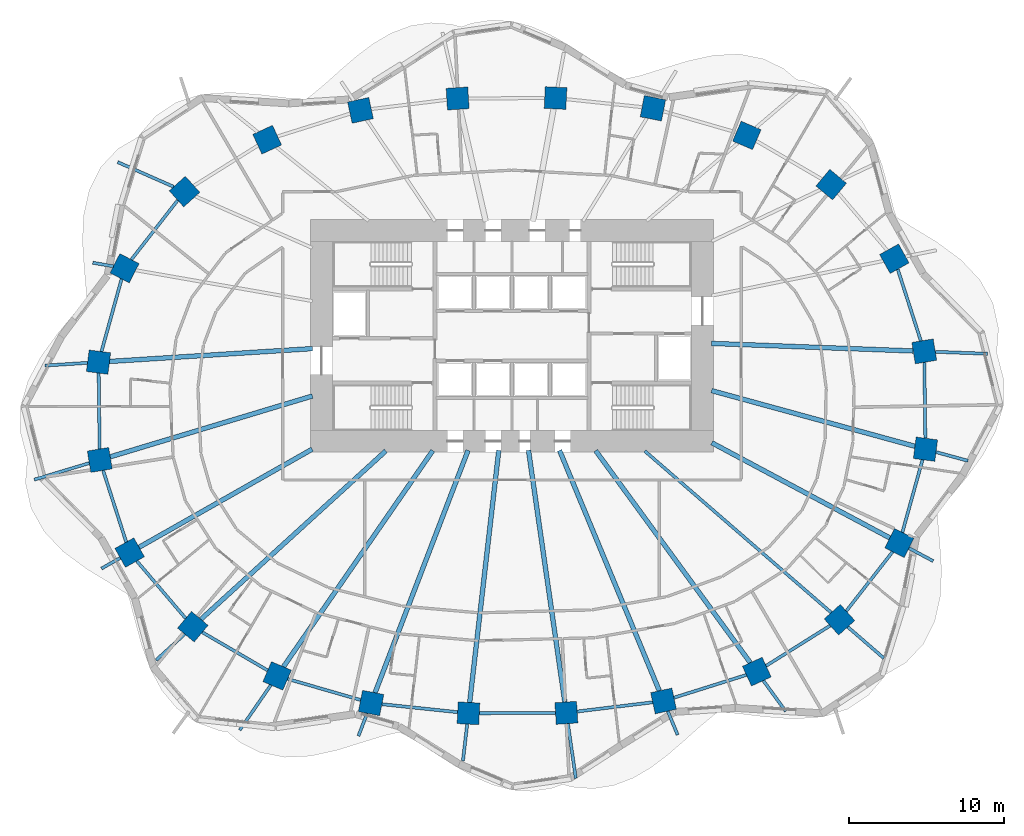
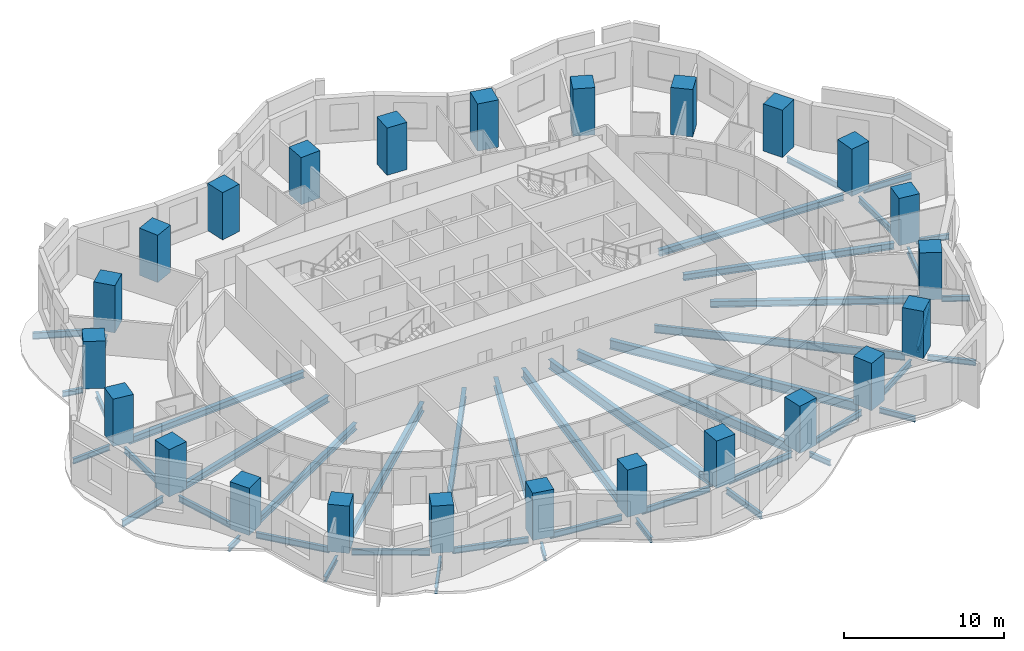
# One storey, part 1 of 11: 46 beams, 24 columns.
"""IFC4 building model written with IfcOpenShell, lengths in metres."""

from ifc_helpers import new_model, si_unit, direction, frame, origin, origin_2d, place, context, subcontext, project, spatial, rectangle, i_section, extrude, material, material_profile, profile_set, type_object, element, save


model = new_model("IFC4")

# Units and contexts
model_context = context("Model", 3, precision=1e-05, world=origin(), true_north=direction((0.0, 1.0)))
body_context = subcontext(model_context, "Body", "Model", "MODEL_VIEW")
ifc_project = project(units=[si_unit("LENGTHUNIT", "METRE"), si_unit("AREAUNIT", "SQUARE_METRE"), si_unit("VOLUMEUNIT", "CUBIC_METRE"), si_unit("PLANEANGLEUNIT", "RADIAN"), si_unit("MASSUNIT", "GRAM", prefix="KILO")], contexts=[model_context])

# Site, building, storey
site_placement = place(None, origin())
site = spatial("IfcSite", under=ifc_project, at=site_placement, CompositionType="ELEMENT")
building_placement = place(site_placement, origin())
building = spatial("IfcBuilding", under=site, at=building_placement, Name="Rubra Terraces Tower", CompositionType="ELEMENT")
storey_placement = place(building_placement, frame((0.0, 0.0, 41.10009765625)))
storey = spatial("IfcBuildingStorey", under=building, at=storey_placement, Name="L07", CompositionType="ELEMENT", Elevation=41.10009765625)

# Columns
ifc_material_1 = material(Name="Concrete C60", Category="concrete")
ifc_material_profile_1 = material_profile(ifc_material_1, rectangle(XDim=1.39990234375, YDim=1.39990234375, at=origin_2d()), Name="RC 1400x1400")
ifc_profile_set_1 = profile_set([ifc_material_profile_1], Name="Concrete C60")
column_type = type_object("IfcColumnType", Name="RING COLUMN RC 1400x1400 C60", PredefinedType="COLUMN", material=ifc_profile_set_1)
for number, where, z_axis, x_axis, name in (
    (1, (26.60498046875, 3.5029296875, 0.0), (0.0, 0.0, 1.0), (-0.161234051287, 0.986916197408, 0.0), "column-L07-ring-01"),
    (2, (24.676025390625, 9.48291015625, 0.0), (0.0, 0.0, 1.0), (-0.487226597714, 0.873275582208, 0.0), "column-L07-ring-02"),
    (3, (20.60009765625, 14.26611328125, 0.0), (0.0, 0.0, 1.0), (-0.767209547574, 0.641396531104, 0.0), "column-L07-ring-03"),
    (4, (15.156982421875, 17.44091796875, 0.0), (0.0, 0.0, 1.0), (-0.919293738002, 0.393572132232, 0.0), "column-L07-ring-04"),
    (5, (9.093994140625, 19.19189453125, 0.0), (0.0, 0.0, 1.0), (-0.981430410798, 0.191818530806, 0.0), "column-L07-ring-05"),
    (6, (2.81103515625, 19.85400390625, 0.0), (0.0, 0.0, 1.0), (-0.99874501614, 0.050083857035, 0.0), "column-L07-ring-06"),
    (7, (-3.509033203125, 19.823974609375, 0.0), (0.0, 0.0, 1.0), (-0.9980076013, -0.063093801177, 0.0), "column-L07-ring-07"),
    (8, (-9.780029296875, 19.05810546875, 0.0), (0.0, 0.0, 1.0), (-0.977386186482, -0.211462153764, 0.0), "column-L07-ring-08"),
    (9, (-15.799072265625, 17.1650390625, 0.0), (0.0, 0.0, 1.0), (-0.907952363445, -0.419073389413, 0.0), "column-L07-ring-09"),
    (10, (-21.135009765625, 13.81689453125, 0.0), (0.0, 0.0, 1.0), (-0.742675944539, -0.66965098477, 0.0), "column-L07-ring-10"),
    (11, (-25.0029296875, 8.865966796875, 0.0), (0.0, 0.0, 1.0), (-0.450098906028, -0.892978709036, 0.0), "column-L07-ring-11"),
    (12, (-26.68408203125, 2.80810546875, 0.0), (0.0, 0.0, 1.0), (-0.128444510405, -0.991716697322, 0.0), "column-L07-ring-12"),
    (13, (-26.60498046875, -3.5029296875, 0.0), (0.0, 0.0, 1.0), (0.161234051287, -0.986916197408, 0.0), "column-L07-ring-13"),
    (14, (-24.676025390625, -9.48291015625, 0.0), (0.0, 0.0, 1.0), (0.487226597714, -0.873275582208, 0.0), "column-L07-ring-14"),
    (15, (-20.60009765625, -14.26611328125, 0.0), (0.0, 0.0, 1.0), (0.767209547574, -0.641396531104, 0.0), "column-L07-ring-15"),
    (16, (-15.156982421875, -17.44091796875, 0.0), (0.0, 0.0, 1.0), (0.919293738002, -0.393572132232, 0.0), "column-L07-ring-16"),
    (17, (-9.093994140625, -19.19189453125, 0.0), (0.0, 0.0, 1.0), (0.981430410798, -0.191818530806, 0.0), "column-L07-ring-17"),
    (18, (-2.81103515625, -19.85400390625, 0.0), (0.0, 0.0, 1.0), (0.99874501614, -0.050083857035, 0.0), "column-L07-ring-18"),
    (19, (3.509033203125, -19.823974609375, 0.0), (0.0, 0.0, 1.0), (0.9980076013, 0.063093801177, 0.0), "column-L07-ring-19"),
    (20, (9.780029296875, -19.05810546875, 0.0), (0.0, 0.0, 1.0), (0.977386186482, 0.211462153764, 0.0), "column-L07-ring-20"),
    (21, (15.799072265625, -17.1650390625, 0.0), (0.0, 0.0, 1.0), (0.907952363445, 0.419073389413, 0.0), "column-L07-ring-21"),
    (22, (21.135009765625, -13.81689453125, 0.0), (0.0, 0.0, 1.0), (0.742675944539, 0.66965098477, 0.0), "column-L07-ring-22"),
    (23, (25.0029296875, -8.865966796875, 0.0), (0.0, 0.0, 1.0), (0.450098906028, 0.892978709036, 0.0), "column-L07-ring-23"),
    (24, (26.68408203125, -2.80810546875, 0.0), (0.0, 0.0, 1.0), (0.128444510405, 0.991716697322, 0.0), "column-L07-ring-24"),
):
    element("IfcColumn", number, at=place(storey_placement, frame(where, z_axis=z_axis, x_axis=x_axis)), inside=storey, type_object=column_type, Name=name, PredefinedType="COLUMN", context=body_context, shape_type="SweptSolid", body=[
        extrude(rectangle(XDim=1.39990234375, YDim=1.39990234375, at=origin_2d()), origin(), (0.0, 0.0, 1.0), 3.599853515625),
    ])

# Beams
ifc_material_2 = material(Name="Steel Q355B", Category="steel")
ifc_material_profile_2 = material_profile(ifc_material_2, i_section(OverallWidth=0.199951171875, OverallDepth=0.39990234375, WebThickness=0.008056640625, FlangeThickness=0.012939453125, at=origin_2d()), Name="HN 400x200x8x13")
ifc_profile_set_2 = profile_set([ifc_material_profile_2], Name="Steel Q355B")
beam_type_1 = type_object("IfcBeamType", Name="CANTILEVER BEAM HN 400x200x8x13", PredefinedType="BEAM", material=ifc_profile_set_2)
beam_1_placement = place(storey_placement, frame((-27.39599609375, 2.762939453125, -0.400146484375), z_axis=(-0.997990809901, -0.063358845889, 0.0), x_axis=(0.063358845889, -0.997990809901, 0.0)))
element("IfcBeam", 25, at=beam_1_placement, inside=storey, type_object=beam_type_1, Name="beam-L07-cant-12", PredefinedType="BEAM", context=body_context, shape_type="SweptSolid", body=[
    extrude(i_section(OverallWidth=0.199951171875, OverallDepth=0.39990234375, WebThickness=0.008056640625, FlangeThickness=0.012939453125, at=origin_2d()), origin(), (0.0, 0.0, 1.0), 2.74365234375),
])
beam_2_placement = place(storey_placement, frame((-21.1220703125, -14.741943359375, -0.400146484375), z_axis=(-0.739355427432, -0.6733153436, 0.0), x_axis=(0.6733153436, -0.739355427432, 0.0)))
element("IfcBeam", 26, at=beam_2_placement, inside=storey, type_object=beam_type_1, Name="beam-L07-cant-15", PredefinedType="BEAM", context=body_context, shape_type="SweptSolid", body=[
    extrude(i_section(OverallWidth=0.199951171875, OverallDepth=0.39990234375, WebThickness=0.008056640625, FlangeThickness=0.012939453125, at=origin_2d()), origin(), (0.0, 0.0, 1.0), 2.495361328125),
])
beam_3_placement = place(storey_placement, frame((-9.34912109375, -19.85498046875, -0.400146484375), z_axis=(-0.357892993059, -0.933762606619, 0.0), x_axis=(0.933762606619, -0.357892993059, 0.0)))
element("IfcBeam", 27, at=beam_3_placement, inside=storey, type_object=beam_type_1, Name="beam-L07-cant-17", PredefinedType="BEAM", context=body_context, shape_type="SweptSolid", body=[
    extrude(i_section(OverallWidth=0.199951171875, OverallDepth=0.39990234375, WebThickness=0.008056640625, FlangeThickness=0.012939453125, at=origin_2d()), origin(), (0.0, 0.0, 1.0), 1.56689453125),
])
beam_4_placement = place(storey_placement, frame((-2.89111328125, -20.551025390625, -0.400146484375), z_axis=(-0.114962450561, -0.993369837956, 0.0), x_axis=(0.993369837956, -0.114962450561, 0.0)))
element("IfcBeam", 28, at=beam_4_placement, inside=storey, type_object=beam_type_1, Name="beam-L07-cant-18", PredefinedType="BEAM", context=body_context, shape_type="SweptSolid", body=[
    extrude(i_section(OverallWidth=0.199951171875, OverallDepth=0.39990234375, WebThickness=0.008056640625, FlangeThickness=0.012939453125, at=origin_2d()), origin(), (0.0, 0.0, 1.0), 2.3828125),
])
beam_5_placement = place(storey_placement, frame((10.052978515625, -19.715087890625, -0.400146484375), z_axis=(0.383503635295, -0.92353936663, 0.0), x_axis=(0.92353936663, 0.383503635295, 0.0)))
element("IfcBeam", 29, at=beam_5_placement, inside=storey, type_object=beam_type_1, Name="beam-L07-cant-20", PredefinedType="BEAM", context=body_context, shape_type="SweptSolid", body=[
    extrude(i_section(OverallWidth=0.199951171875, OverallDepth=0.39990234375, WebThickness=0.008056640625, FlangeThickness=0.012939453125, at=origin_2d()), origin(), (0.0, 0.0, 1.0), 1.6533203125),
])
beam_6_placement = place(storey_placement, frame((16.219970703125, -17.741943359375, -0.400146484375), z_axis=(0.589051841902, -0.808095246584, 0.0), x_axis=(0.808095246584, 0.589051841902, 0.0)))
element("IfcBeam", 30, at=beam_6_placement, inside=storey, type_object=beam_type_1, Name="beam-L07-cant-21", PredefinedType="BEAM", context=body_context, shape_type="SweptSolid", body=[
    extrude(i_section(OverallWidth=0.199951171875, OverallDepth=0.39990234375, WebThickness=0.008056640625, FlangeThickness=0.012939453125, at=origin_2d()), origin(), (0.0, 0.0, 1.0), 2.45654296875),
])
beam_7_placement = place(storey_placement, frame((21.66796875, -14.279052734375, -0.400146484375), z_axis=(0.755678614106, -0.654942617474, 0.0), x_axis=(0.654942617474, 0.755678614106, 0.0)))
element("IfcBeam", 31, at=beam_7_placement, inside=storey, type_object=beam_type_1, Name="beam-L07-cant-22", PredefinedType="BEAM", context=body_context, shape_type="SweptSolid", body=[
    extrude(i_section(OverallWidth=0.199951171875, OverallDepth=0.39990234375, WebThickness=0.008056640625, FlangeThickness=0.012939453125, at=origin_2d()), origin(), (0.0, 0.0, 1.0), 3.077880859375),
])
beam_8_placement = place(storey_placement, frame((25.62109375, -9.196044921875, -0.400146484375), z_axis=(0.881831478538, -0.471564675797, 0.0), x_axis=(0.471564675797, 0.881831478538, 0.0)))
element("IfcBeam", 32, at=beam_8_placement, inside=storey, type_object=beam_type_1, Name="beam-L07-cant-23", PredefinedType="BEAM", context=body_context, shape_type="SweptSolid", body=[
    extrude(i_section(OverallWidth=0.199951171875, OverallDepth=0.39990234375, WebThickness=0.008056640625, FlangeThickness=0.012939453125, at=origin_2d()), origin(), (0.0, 0.0, 1.0), 1.764404296875),
])
beam_9_placement = place(storey_placement, frame((27.365966796875, -2.9951171875, -0.400146484375), z_axis=(0.964489360559, -0.264121701814, 0.0), x_axis=(0.264121701814, 0.964489360559, 0.0)))
element("IfcBeam", 33, at=beam_9_placement, inside=storey, type_object=beam_type_1, Name="beam-L07-cant-24", PredefinedType="BEAM", context=body_context, shape_type="SweptSolid", body=[
    extrude(i_section(OverallWidth=0.199951171875, OverallDepth=0.39990234375, WebThickness=0.008056640625, FlangeThickness=0.012939453125, at=origin_2d()), origin(), (0.0, 0.0, 1.0), 2.138916015625),
])
ifc_material_profile_3 = material_profile(ifc_material_2, i_section(OverallWidth=0.198974609375, OverallDepth=0.446044921875, WebThickness=0.008056640625, FlangeThickness=0.011962890625, at=origin_2d()), Name="HN 446x199x8x12")
ifc_profile_set_3 = profile_set([ifc_material_profile_3], Name="Steel Q355B")
beam_type_2 = type_object("IfcBeamType", Name="CANTILEVER BEAM HN 446x199x8x12", PredefinedType="BEAM", material=ifc_profile_set_3)
beam_10_placement = place(storey_placement, frame((27.319091796875, 3.47607421875, -0.423095703125), z_axis=(0.999304901347, -0.037278869946, 0.0), x_axis=(0.037278869946, 0.999304901347, 0.0)))
element("IfcBeam", 34, at=beam_10_placement, inside=storey, type_object=beam_type_2, Name="beam-L07-cant-01", PredefinedType="BEAM", context=body_context, shape_type="SweptSolid", body=[
    extrude(i_section(OverallWidth=0.198974609375, OverallDepth=0.446044921875, WebThickness=0.008056640625, FlangeThickness=0.011962890625, at=origin_2d()), origin(), (0.0, 0.0, 1.0), 3.37939453125),
])
beam_11_placement = place(storey_placement, frame((-15.56298828125, -18.029052734375, -0.423095703125), z_axis=(-0.568398748682, -0.822753220897, 0.0), x_axis=(0.822753220897, -0.568398748682, 0.0)))
element("IfcBeam", 35, at=beam_11_placement, inside=storey, type_object=beam_type_2, Name="beam-L07-cant-16", PredefinedType="BEAM", context=body_context, shape_type="SweptSolid", body=[
    extrude(i_section(OverallWidth=0.198974609375, OverallDepth=0.446044921875, WebThickness=0.008056640625, FlangeThickness=0.011962890625, at=origin_2d()), origin(), (0.0, 0.0, 1.0), 3.5380859375),
])
beam_12_placement = place(storey_placement, frame((3.60888671875, -20.51904296875, -0.423095703125), z_axis=(0.142763269487, -0.98975686352, 0.0), x_axis=(0.98975686352, 0.142763269487, 0.0)))
element("IfcBeam", 36, at=beam_12_placement, inside=storey, type_object=beam_type_2, Name="beam-L07-cant-19", PredefinedType="BEAM", context=body_context, shape_type="SweptSolid", body=[
    extrude(i_section(OverallWidth=0.198974609375, OverallDepth=0.446044921875, WebThickness=0.008056640625, FlangeThickness=0.011962890625, at=origin_2d()), origin(), (0.0, 0.0, 1.0), 3.565673828125),
])
ifc_material_profile_4 = material_profile(ifc_material_2, i_section(OverallWidth=0.198974609375, OverallDepth=0.49609375, WebThickness=0.009033203125, FlangeThickness=0.013916015625, at=origin_2d()), Name="HN 496x199x9x14")
ifc_profile_set_4 = profile_set([ifc_material_profile_4], Name="Steel Q355B")
beam_type_3 = type_object("IfcBeamType", Name="CANTILEVER BEAM HN 496x199x9x14", PredefinedType="BEAM", material=ifc_profile_set_4)
beam_13_placement = place(storey_placement, frame((-21.8369140625, 14.1259765625, -0.447998046875), z_axis=(-0.914957406793, 0.403550422816, 0.0), x_axis=(-0.403550422816, -0.914957406793, 0.0)))
element("IfcBeam", 37, at=beam_13_placement, inside=storey, type_object=beam_type_3, Name="beam-L07-cant-10", PredefinedType="BEAM", context=body_context, shape_type="SweptSolid", body=[
    extrude(i_section(OverallWidth=0.198974609375, OverallDepth=0.49609375, WebThickness=0.009033203125, FlangeThickness=0.013916015625, at=origin_2d()), origin(), (0.0, 0.0, 1.0), 3.949951171875),
])
beam_14_placement = place(storey_placement, frame((-27.281005859375, -3.7060546875, -0.447998046875), z_axis=(-0.957593698742, -0.28812203687, 0.0), x_axis=(0.28812203687, -0.957593698742, 0.0)))
element("IfcBeam", 38, at=beam_14_placement, inside=storey, type_object=beam_type_3, Name="beam-L07-cant-13", PredefinedType="BEAM", context=body_context, shape_type="SweptSolid", body=[
    extrude(i_section(OverallWidth=0.198974609375, OverallDepth=0.49609375, WebThickness=0.009033203125, FlangeThickness=0.013916015625, at=origin_2d()), origin(), (0.0, 0.0, 1.0), 3.702880859375),
])
ifc_material_profile_5 = material_profile(ifc_material_2, i_section(OverallWidth=0.199951171875, OverallDepth=0.39990234375, WebThickness=0.008056640625, FlangeThickness=0.012939453125, at=origin_2d()), Name="HN 400x200x8x13")
ifc_profile_set_5 = profile_set([ifc_material_profile_5], Name="Steel Q355B")
beam_type_4 = type_object("IfcBeamType", Name="CANTILEVER STUB HN 400x200x8x13", PredefinedType="BEAM", material=ifc_profile_set_5)
beam_15_placement = place(storey_placement, frame((-25.722900390625, 8.991943359375, -0.400146484375), z_axis=(-0.985082654441, 0.172081852383, 0.0), x_axis=(-0.172081852383, -0.985082654441, 0.0)))
element("IfcBeam", 39, at=beam_15_placement, inside=storey, type_object=beam_type_4, Name="beam-L07-cant-11", PredefinedType="BEAM", context=body_context, shape_type="SweptSolid", body=[
    extrude(i_section(OverallWidth=0.199951171875, OverallDepth=0.39990234375, WebThickness=0.008056640625, FlangeThickness=0.012939453125, at=origin_2d()), origin(), (0.0, 0.0, 1.0), 1.34912109375),
])
beam_16_placement = place(storey_placement, frame((-25.284912109375, -9.827880859375, -0.400146484375), z_axis=(-0.869861272392, -0.493296428927, 0.0), x_axis=(0.493296428927, -0.869861272392, 0.0)))
element("IfcBeam", 40, at=beam_16_placement, inside=storey, type_object=beam_type_4, Name="beam-L07-cant-14", PredefinedType="BEAM", context=body_context, shape_type="SweptSolid", body=[
    extrude(i_section(OverallWidth=0.199951171875, OverallDepth=0.39990234375, WebThickness=0.008056640625, FlangeThickness=0.012939453125, at=origin_2d()), origin(), (0.0, 0.0, 1.0), 1.388671875),
])
ifc_material_profile_6 = material_profile(ifc_material_2, i_section(OverallWidth=0.300048828125, OverallDepth=0.48193359375, WebThickness=0.010986328125, FlangeThickness=0.014892578125, at=origin_2d()), Name="HM 482x300x11x15")
ifc_profile_set_6 = profile_set([ifc_material_profile_6], Name="Steel Q355B")
beam_type_5 = type_object("IfcBeamType", Name="FLOOR BEAM HM 482x300x11x15", PredefinedType="BEAM", material=ifc_profile_set_6)
beam_17_placement = place(storey_placement, frame((25.89111328125, 3.530029296875, -0.441162109375), z_axis=(-0.999300088658, 0.037407657088, 0.0), x_axis=(-0.037407657088, -0.999300088658, 0.0)))
element("IfcBeam", 41, at=beam_17_placement, inside=storey, type_object=beam_type_5, Name="beam-L07-floor-01", PredefinedType="BEAM", context=body_context, shape_type="SweptSolid", body=[
    extrude(i_section(OverallWidth=0.300048828125, OverallDepth=0.48193359375, WebThickness=0.010986328125, FlangeThickness=0.014892578125, at=origin_2d()), origin(), (0.0, 0.0, 1.0), 13.020263671875),
])
beam_18_placement = place(storey_placement, frame((-25.971923828125, 2.85302734375, -0.441162109375), z_axis=(0.997996052936, 0.06327620662, 0.0), x_axis=(-0.06327620662, 0.997996052936, 0.0)))
element("IfcBeam", 42, at=beam_18_placement, inside=storey, type_object=beam_type_5, Name="beam-L07-floor-12", PredefinedType="BEAM", context=body_context, shape_type="SweptSolid", body=[
    extrude(i_section(OverallWidth=0.300048828125, OverallDepth=0.48193359375, WebThickness=0.010986328125, FlangeThickness=0.014892578125, at=origin_2d()), origin(), (0.0, 0.0, 1.0), 13.118408203125),
])
beam_19_placement = place(storey_placement, frame((-25.928955078125, -3.300048828125, -0.441162109375), z_axis=(0.957605991861, 0.288081176671, 0.0), x_axis=(-0.288081176671, 0.957605991861, 0.0)))
element("IfcBeam", 43, at=beam_19_placement, inside=storey, type_object=beam_type_5, Name="beam-L07-floor-13", PredefinedType="BEAM", context=body_context, shape_type="SweptSolid", body=[
    extrude(i_section(OverallWidth=0.300048828125, OverallDepth=0.48193359375, WebThickness=0.010986328125, FlangeThickness=0.014892578125, at=origin_2d()), origin(), (0.0, 0.0, 1.0), 13.621337890625),
])
beam_20_placement = place(storey_placement, frame((-24.06689453125, -9.137939453125, -0.441162109375), z_axis=(0.869992824144, 0.493064383157, 0.0), x_axis=(-0.493064383157, 0.869992824144, 0.0)))
element("IfcBeam", 44, at=beam_20_placement, inside=storey, type_object=beam_type_5, Name="beam-L07-floor-14", PredefinedType="BEAM", context=body_context, shape_type="SweptSolid", body=[
    extrude(i_section(OverallWidth=0.300048828125, OverallDepth=0.48193359375, WebThickness=0.010986328125, FlangeThickness=0.014892578125, at=origin_2d()), origin(), (0.0, 0.0, 1.0), 12.84033203125),
])
beam_21_placement = place(storey_placement, frame((24.385009765625, -8.535888671875, -0.441162109375), z_axis=(-0.881896613876, 0.471442851716, 0.0), x_axis=(-0.471442851716, -0.881896613876, 0.0)))
element("IfcBeam", 45, at=beam_21_placement, inside=storey, type_object=beam_type_5, Name="beam-L07-floor-23", PredefinedType="BEAM", context=body_context, shape_type="SweptSolid", body=[
    extrude(i_section(OverallWidth=0.300048828125, OverallDepth=0.48193359375, WebThickness=0.010986328125, FlangeThickness=0.014892578125, at=origin_2d()), origin(), (0.0, 0.0, 1.0), 13.02978515625),
])
beam_22_placement = place(storey_placement, frame((26.001953125, -2.62109375, -0.441162109375), z_axis=(-0.964494059772, 0.264104541167, 0.0), x_axis=(-0.264104541167, -0.964494059772, 0.0)))
element("IfcBeam", 46, at=beam_22_placement, inside=storey, type_object=beam_type_5, Name="beam-L07-floor-24", PredefinedType="BEAM", context=body_context, shape_type="SweptSolid", body=[
    extrude(i_section(OverallWidth=0.300048828125, OverallDepth=0.48193359375, WebThickness=0.010986328125, FlangeThickness=0.014892578125, at=origin_2d()), origin(), (0.0, 0.0, 1.0), 13.600830078125),
])
ifc_material_profile_7 = material_profile(ifc_material_2, i_section(OverallWidth=0.198974609375, OverallDepth=0.595947265625, WebThickness=0.010009765625, FlangeThickness=0.014892578125, at=origin_2d()), Name="HN 596x199x10x15")
ifc_profile_set_7 = profile_set([ifc_material_profile_7], Name="Steel Q355B")
beam_type_6 = type_object("IfcBeamType", Name="FLOOR BEAM HN 596x199x10x15", PredefinedType="BEAM", material=ifc_profile_set_7)
beam_23_placement = place(storey_placement, frame((20.60205078125, -13.35498046875, -0.498046875), z_axis=(-0.755682003913, 0.654938706263, 0.0), x_axis=(-0.654938706263, -0.755682003913, 0.0)))
element("IfcBeam", 47, at=beam_23_placement, inside=storey, type_object=beam_type_6, Name="beam-L07-floor-22", PredefinedType="BEAM", context=body_context, shape_type="SweptSolid", body=[
    extrude(i_section(OverallWidth=0.198974609375, OverallDepth=0.595947265625, WebThickness=0.010009765625, FlangeThickness=0.014892578125, at=origin_2d()), origin(), (0.0, 0.0, 1.0), 15.931396484375),
])
ifc_material_profile_8 = material_profile(ifc_material_2, i_section(OverallWidth=0.300048828125, OverallDepth=0.699951171875, WebThickness=0.012939453125, FlangeThickness=0.02392578125, at=origin_2d()), Name="HN 700x300x13x24")
ifc_profile_set_8 = profile_set([ifc_material_profile_8], Name="Steel Q355B")
beam_type_7 = type_object("IfcBeamType", Name="FLOOR BEAM HN 700x300x13x24", PredefinedType="BEAM", material=ifc_profile_set_8)
beam_24_placement = place(storey_placement, frame((-20.077880859375, -13.7900390625, -0.550048828125), z_axis=(0.739256734846, 0.673423700195, 0.0), x_axis=(-0.673423700195, 0.739256734846, 0.0)))
element("IfcBeam", 48, at=beam_24_placement, inside=storey, type_object=beam_type_7, Name="beam-L07-floor-15", PredefinedType="BEAM", context=body_context, shape_type="SweptSolid", body=[
    extrude(i_section(OverallWidth=0.300048828125, OverallDepth=0.699951171875, WebThickness=0.012939453125, FlangeThickness=0.02392578125, at=origin_2d()), origin(), (0.0, 0.0, 1.0), 16.14306640625),
])
beam_25_placement = place(storey_placement, frame((-14.7509765625, -16.85302734375, -0.550048828125), z_axis=(0.568362941886, 0.822777956858, 0.0), x_axis=(-0.822777956858, 0.568362941886, 0.0)))
element("IfcBeam", 49, at=beam_25_placement, inside=storey, type_object=beam_type_7, Name="beam-L07-floor-16", PredefinedType="BEAM", context=body_context, shape_type="SweptSolid", body=[
    extrude(i_section(OverallWidth=0.300048828125, OverallDepth=0.699951171875, WebThickness=0.012939453125, FlangeThickness=0.02392578125, at=origin_2d()), origin(), (0.0, 0.0, 1.0), 16.957275390625),
])
beam_26_placement = place(storey_placement, frame((-8.839111328125, -18.529052734375, -0.550048828125), z_axis=(0.358321803184, 0.933598139117, 0.0), x_axis=(-0.933598139117, 0.358321803184, 0.0)))
element("IfcBeam", 50, at=beam_26_placement, inside=storey, type_object=beam_type_7, Name="beam-L07-floor-17", PredefinedType="BEAM", context=body_context, shape_type="SweptSolid", body=[
    extrude(i_section(OverallWidth=0.300048828125, OverallDepth=0.699951171875, WebThickness=0.012939453125, FlangeThickness=0.02392578125, at=origin_2d()), origin(), (0.0, 0.0, 1.0), 16.753662109375),
])
beam_27_placement = place(storey_placement, frame((-2.73095703125, -19.156982421875, -0.550048828125), z_axis=(0.114679535872, 0.993402538779, 0.0), x_axis=(-0.993402538779, 0.114679535872, 0.0)))
element("IfcBeam", 51, at=beam_27_placement, inside=storey, type_object=beam_type_7, Name="beam-L07-floor-18", PredefinedType="BEAM", context=body_context, shape_type="SweptSolid", body=[
    extrude(i_section(OverallWidth=0.300048828125, OverallDepth=0.699951171875, WebThickness=0.012939453125, FlangeThickness=0.02392578125, at=origin_2d()), origin(), (0.0, 0.0, 1.0), 16.384033203125),
])
beam_28_placement = place(storey_placement, frame((3.408935546875, -19.12890625, -0.550048828125), z_axis=(-0.142787075711, 0.9897534294, 0.0), x_axis=(-0.9897534294, -0.142787075711, 0.0)))
element("IfcBeam", 52, at=beam_28_placement, inside=storey, type_object=beam_type_7, Name="beam-L07-floor-19", PredefinedType="BEAM", context=body_context, shape_type="SweptSolid", body=[
    extrude(i_section(OverallWidth=0.300048828125, OverallDepth=0.699951171875, WebThickness=0.012939453125, FlangeThickness=0.02392578125, at=origin_2d()), origin(), (0.0, 0.0, 1.0), 16.416015625),
])
beam_29_placement = place(storey_placement, frame((9.507080078125, -18.40087890625, -0.550048828125), z_axis=(-0.383379543301, 0.923590886582, 0.0), x_axis=(-0.923590886582, -0.383379543301, 0.0)))
element("IfcBeam", 53, at=beam_29_placement, inside=storey, type_object=beam_type_7, Name="beam-L07-floor-20", PredefinedType="BEAM", context=body_context, shape_type="SweptSolid", body=[
    extrude(i_section(OverallWidth=0.300048828125, OverallDepth=0.699951171875, WebThickness=0.012939453125, FlangeThickness=0.02392578125, at=origin_2d()), origin(), (0.0, 0.0, 1.0), 16.795166015625),
])
beam_30_placement = place(storey_placement, frame((15.3779296875, -16.587890625, -0.550048828125), z_axis=(-0.58919117553, 0.807993662523, 0.0), x_axis=(-0.807993662523, -0.58919117553, 0.0)))
element("IfcBeam", 54, at=beam_30_placement, inside=storey, type_object=beam_type_7, Name="beam-L07-floor-21", PredefinedType="BEAM", context=body_context, shape_type="SweptSolid", body=[
    extrude(i_section(OverallWidth=0.300048828125, OverallDepth=0.699951171875, WebThickness=0.012939453125, FlangeThickness=0.02392578125, at=origin_2d()), origin(), (0.0, 0.0, 1.0), 16.936767578125),
])
ifc_material_profile_9 = material_profile(ifc_material_2, i_section(OverallWidth=0.198974609375, OverallDepth=0.446044921875, WebThickness=0.008056640625, FlangeThickness=0.011962890625, at=origin_2d()), Name="HN 446x199x8x12")
ifc_profile_set_9 = profile_set([ifc_material_profile_9], Name="Steel Q355B")
beam_type_8 = type_object("IfcBeamType", Name="SPANDREL BEAM HN 446x199x8x12", PredefinedType="SPANDREL", material=ifc_profile_set_9)
beam_31_placement = place(storey_placement, frame((26.387939453125, 4.177001953125, -0.423095703125), z_axis=(-0.30706880261, 0.951687317591, 0.0), x_axis=(-0.951687317591, -0.30706880261, 0.0)))
element("IfcBeam", 55, at=beam_31_placement, inside=storey, type_object=beam_type_8, Name="beam-L07-spandrel-01", PredefinedType="SPANDREL", context=body_context, shape_type="SweptSolid", body=[
    extrude(i_section(OverallWidth=0.198974609375, OverallDepth=0.446044921875, WebThickness=0.008056640625, FlangeThickness=0.011962890625, at=origin_2d()), origin(), (0.0, 0.0, 1.0), 4.86181640625),
])
beam_32_placement = place(storey_placement, frame((-21.572998046875, 13.257080078125, -0.423095703125), z_axis=(-0.615577734286, -0.788076172112, 0.0), x_axis=(0.788076172112, -0.615577734286, 0.0)))
element("IfcBeam", 56, at=beam_32_placement, inside=storey, type_object=beam_type_8, Name="beam-L07-spandrel-10", PredefinedType="SPANDREL", context=body_context, shape_type="SweptSolid", body=[
    extrude(i_section(OverallWidth=0.198974609375, OverallDepth=0.446044921875, WebThickness=0.008056640625, FlangeThickness=0.011962890625, at=origin_2d()), origin(), (0.0, 0.0, 1.0), 4.85888671875),
])
beam_33_placement = place(storey_placement, frame((-25.194091796875, 8.177978515625, -0.423095703125), z_axis=(-0.267364386726, -0.96359549849, 0.0), x_axis=(0.96359549849, -0.267364386726, 0.0)))
element("IfcBeam", 57, at=beam_33_placement, inside=storey, type_object=beam_type_8, Name="beam-L07-spandrel-11", PredefinedType="SPANDREL", context=body_context, shape_type="SweptSolid", body=[
    extrude(i_section(OverallWidth=0.198974609375, OverallDepth=0.446044921875, WebThickness=0.008056640625, FlangeThickness=0.011962890625, at=origin_2d()), origin(), (0.0, 0.0, 1.0), 4.8662109375),
])
beam_34_placement = place(storey_placement, frame((-26.675048828125, 2.10107421875, -0.423095703125), z_axis=(0.012465372298, -0.999922304228, 0.0), x_axis=(0.999922304228, 0.012465372298, 0.0)))
element("IfcBeam", 58, at=beam_34_placement, inside=storey, type_object=beam_type_8, Name="beam-L07-spandrel-12", PredefinedType="SPANDREL", context=body_context, shape_type="SweptSolid", body=[
    extrude(i_section(OverallWidth=0.198974609375, OverallDepth=0.446044921875, WebThickness=0.008056640625, FlangeThickness=0.011962890625, at=origin_2d()), origin(), (0.0, 0.0, 1.0), 4.896484375),
])
beam_35_placement = place(storey_placement, frame((-26.387939453125, -4.177001953125, -0.423095703125), z_axis=(0.30706880261, -0.951687317591, 0.0), x_axis=(0.951687317591, 0.30706880261, 0.0)))
element("IfcBeam", 59, at=beam_35_placement, inside=storey, type_object=beam_type_8, Name="beam-L07-spandrel-13", PredefinedType="SPANDREL", context=body_context, shape_type="SweptSolid", body=[
    extrude(i_section(OverallWidth=0.198974609375, OverallDepth=0.446044921875, WebThickness=0.008056640625, FlangeThickness=0.011962890625, at=origin_2d()), origin(), (0.0, 0.0, 1.0), 4.86181640625),
])
beam_36_placement = place(storey_placement, frame((-24.212890625, -10.02587890625, -0.423095703125), z_axis=(0.648447050824, -0.761259760054, 0.0), x_axis=(0.761259760054, 0.648447050824, 0.0)))
element("IfcBeam", 60, at=beam_36_placement, inside=storey, type_object=beam_type_8, Name="beam-L07-spandrel-14", PredefinedType="SPANDREL", context=body_context, shape_type="SweptSolid", body=[
    extrude(i_section(OverallWidth=0.198974609375, OverallDepth=0.446044921875, WebThickness=0.008056640625, FlangeThickness=0.011962890625, at=origin_2d()), origin(), (0.0, 0.0, 1.0), 4.860595703125),
])
beam_37_placement = place(storey_placement, frame((-19.987060546875, -14.6240234375, -0.423095703125), z_axis=(0.863806081452, -0.503824427402, 0.0), x_axis=(0.503824427402, 0.863806081452, 0.0)))
element("IfcBeam", 61, at=beam_37_placement, inside=storey, type_object=beam_type_8, Name="beam-L07-spandrel-15", PredefinedType="SPANDREL", context=body_context, shape_type="SweptSolid", body=[
    extrude(i_section(OverallWidth=0.198974609375, OverallDepth=0.446044921875, WebThickness=0.008056640625, FlangeThickness=0.011962890625, at=origin_2d()), origin(), (0.0, 0.0, 1.0), 4.886474609375),
])
beam_38_placement = place(storey_placement, frame((-14.47900390625, -17.636962890625, -0.423095703125), z_axis=(0.960743980202, -0.277436487337, 0.0), x_axis=(0.277436487337, 0.960743980202, 0.0)))
element("IfcBeam", 62, at=beam_38_placement, inside=storey, type_object=beam_type_8, Name="beam-L07-spandrel-16", PredefinedType="SPANDREL", context=body_context, shape_type="SweptSolid", body=[
    extrude(i_section(OverallWidth=0.198974609375, OverallDepth=0.446044921875, WebThickness=0.008056640625, FlangeThickness=0.011962890625, at=origin_2d()), origin(), (0.0, 0.0, 1.0), 4.90234375),
])
beam_39_placement = place(storey_placement, frame((-8.39501953125, -19.26611328125, -0.423095703125), z_axis=(0.994495375694, -0.104780473964, 0.0), x_axis=(0.104780473964, 0.994495375694, 0.0)))
element("IfcBeam", 63, at=beam_39_placement, inside=storey, type_object=beam_type_8, Name="beam-L07-spandrel-17", PredefinedType="SPANDREL", context=body_context, shape_type="SweptSolid", body=[
    extrude(i_section(OverallWidth=0.198974609375, OverallDepth=0.446044921875, WebThickness=0.008056640625, FlangeThickness=0.011962890625, at=origin_2d()), origin(), (0.0, 0.0, 1.0), 4.9140625),
])
beam_40_placement = place(storey_placement, frame((-2.110107421875, -19.85107421875, -0.423095703125), z_axis=(0.999987924698, 0.004914311469, 0.0), x_axis=(-0.004914311469, 0.999987924698, 0.0)))
element("IfcBeam", 64, at=beam_40_placement, inside=storey, type_object=beam_type_8, Name="beam-L07-spandrel-18", PredefinedType="SPANDREL", context=body_context, shape_type="SweptSolid", body=[
    extrude(i_section(OverallWidth=0.198974609375, OverallDepth=0.446044921875, WebThickness=0.008056640625, FlangeThickness=0.011962890625, at=origin_2d()), origin(), (0.0, 0.0, 1.0), 4.918212890625),
])
beam_41_placement = place(storey_placement, frame((4.205078125, -19.739013671875, -0.423095703125), z_axis=(0.992616576014, 0.12129440639, 0.0), x_axis=(-0.12129440639, 0.992616576014, 0.0)))
element("IfcBeam", 65, at=beam_41_placement, inside=storey, type_object=beam_type_8, Name="beam-L07-spandrel-19", PredefinedType="SPANDREL", context=body_context, shape_type="SweptSolid", body=[
    extrude(i_section(OverallWidth=0.198974609375, OverallDepth=0.446044921875, WebThickness=0.008056640625, FlangeThickness=0.011962890625, at=origin_2d()), origin(), (0.0, 0.0, 1.0), 4.913330078125),
])
beam_42_placement = place(storey_placement, frame((10.450927734375, -18.846923828125, -0.423095703125), z_axis=(0.953954624663, 0.299950952796, 0.0), x_axis=(-0.299950952796, 0.953954624663, 0.0)))
element("IfcBeam", 66, at=beam_42_placement, inside=storey, type_object=beam_type_8, Name="beam-L07-spandrel-20", PredefinedType="SPANDREL", context=body_context, shape_type="SweptSolid", body=[
    extrude(i_section(OverallWidth=0.198974609375, OverallDepth=0.446044921875, WebThickness=0.008056640625, FlangeThickness=0.011962890625, at=origin_2d()), origin(), (0.0, 0.0, 1.0), 4.900634765625),
])
beam_43_placement = place(storey_placement, frame((16.39697265625, -16.7900390625, -0.423095703125), z_axis=(0.847078460197, 0.531467856291, 0.0), x_axis=(-0.531467856291, 0.847078460197, 0.0)))
element("IfcBeam", 67, at=beam_43_placement, inside=storey, type_object=beam_type_8, Name="beam-L07-spandrel-21", PredefinedType="SPANDREL", context=body_context, shape_type="SweptSolid", body=[
    extrude(i_section(OverallWidth=0.198974609375, OverallDepth=0.446044921875, WebThickness=0.008056640625, FlangeThickness=0.011962890625, at=origin_2d()), origin(), (0.0, 0.0, 1.0), 4.882568359375),
])
beam_44_placement = place(storey_placement, frame((21.572998046875, -13.257080078125, -0.423095703125), z_axis=(0.615577734286, 0.788076172112, 0.0), x_axis=(-0.788076172112, 0.615577734286, 0.0)))
element("IfcBeam", 68, at=beam_44_placement, inside=storey, type_object=beam_type_8, Name="beam-L07-spandrel-22", PredefinedType="SPANDREL", context=body_context, shape_type="SweptSolid", body=[
    extrude(i_section(OverallWidth=0.198974609375, OverallDepth=0.446044921875, WebThickness=0.008056640625, FlangeThickness=0.011962890625, at=origin_2d()), origin(), (0.0, 0.0, 1.0), 4.85888671875),
])
beam_45_placement = place(storey_placement, frame((25.194091796875, -8.177978515625, -0.423095703125), z_axis=(0.267364386726, 0.96359549849, 0.0), x_axis=(-0.96359549849, 0.267364386726, 0.0)))
element("IfcBeam", 69, at=beam_45_placement, inside=storey, type_object=beam_type_8, Name="beam-L07-spandrel-23", PredefinedType="SPANDREL", context=body_context, shape_type="SweptSolid", body=[
    extrude(i_section(OverallWidth=0.198974609375, OverallDepth=0.446044921875, WebThickness=0.008056640625, FlangeThickness=0.011962890625, at=origin_2d()), origin(), (0.0, 0.0, 1.0), 4.8662109375),
])
beam_46_placement = place(storey_placement, frame((26.675048828125, -2.10107421875, -0.423095703125), z_axis=(-0.012465372298, 0.999922304228, 0.0), x_axis=(-0.999922304228, -0.012465372298, 0.0)))
element("IfcBeam", 70, at=beam_46_placement, inside=storey, type_object=beam_type_8, Name="beam-L07-spandrel-24", PredefinedType="SPANDREL", context=body_context, shape_type="SweptSolid", body=[
    extrude(i_section(OverallWidth=0.198974609375, OverallDepth=0.446044921875, WebThickness=0.008056640625, FlangeThickness=0.011962890625, at=origin_2d()), origin(), (0.0, 0.0, 1.0), 4.896484375),
])

save(model, "model.ifc")
